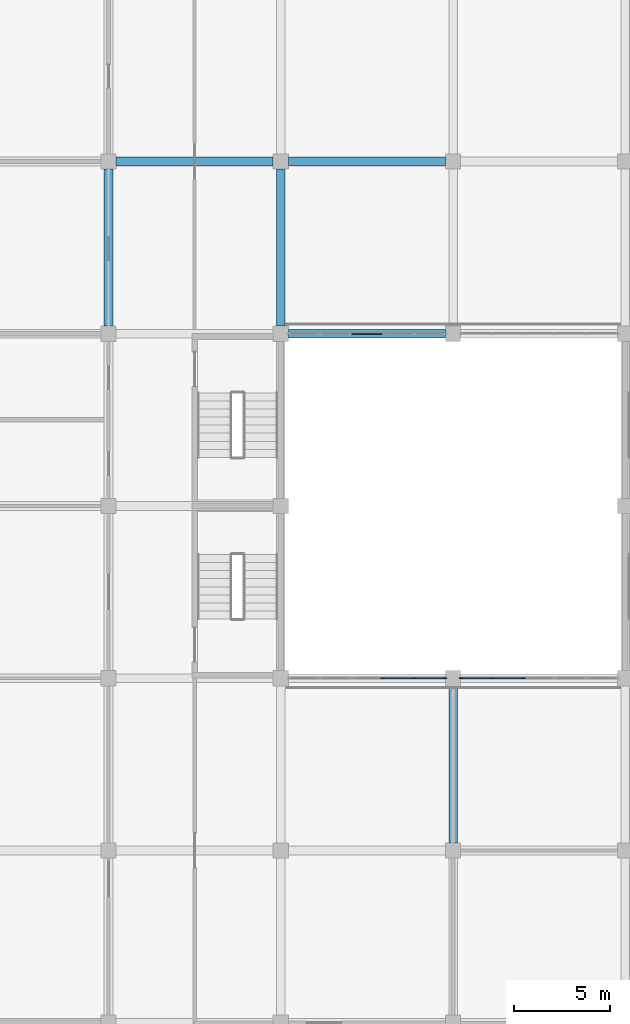
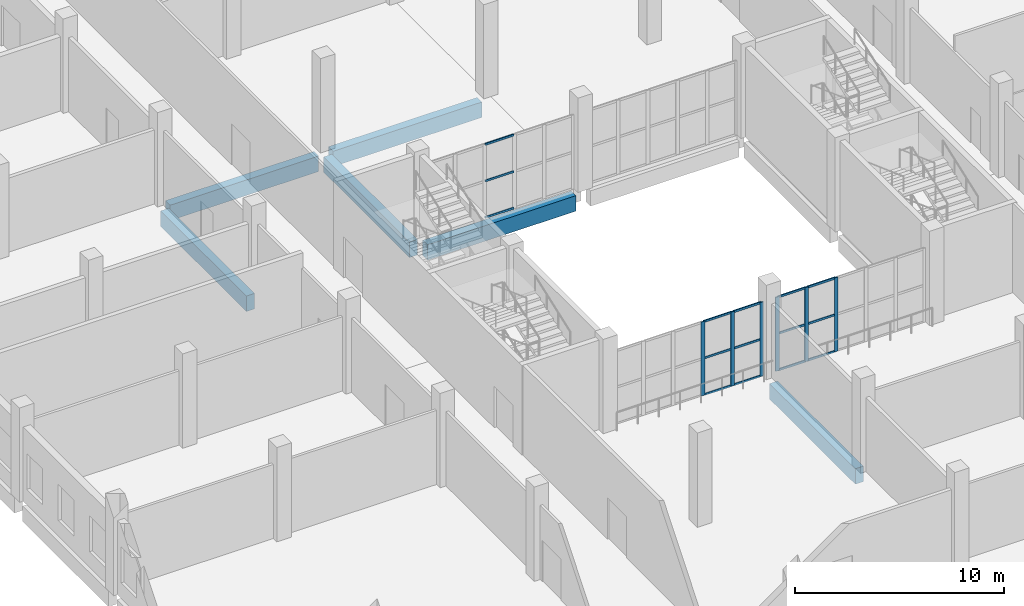
# One storey, part 22 of 185: 21 members, 6 beams, 3 elements without a shape of their own.
"""IFC4 building model written with IfcOpenShell, lengths in metres."""

import ifcopenshell
import ifcopenshell.guid

model = None  # the IFC model being written
_history = None  # IfcOwnerHistory: only IFC2X3 demands one
_inside = {}  # id of a spatial element -> (the spatial element, [elements in it])
_under = {}  # id of a project, library or spatial element -> (it, [spatial elements below it])
_declared = {}  # id of a project -> (the project, [libraries it declares])
_typed = {}  # id of a type object -> (the type object, [elements of that type])
_made_of = {}  # id of a material, layer set ... -> (it, [elements and type objects made of it])


def new_model(schema):
    """Start an empty IFC model of exactly this schema.

    Asked for "IFC4X3", IfcOpenShell would pick the latest addendum, in which some entities
    have other attributes; the version numbers below select the first issue.
    IFC2X3 requires an IfcOwnerHistory on every rooted entity: one is made here for all.
    """
    global model, _history
    if schema == "IFC4X3":
        model = ifcopenshell.file(schema_version=(4, 3, 0, 0))
    else:
        model = ifcopenshell.file(schema=schema)
    _inside.clear()
    _under.clear()
    _declared.clear()
    _typed.clear()
    _made_of.clear()
    _history = None
    if model.schema == "IFC2X3":
        org = make("IfcOrganization", Name="unknown")
        user = make(
            "IfcPersonAndOrganization",
            ThePerson=make("IfcPerson", FamilyName="unknown"),
            TheOrganization=org,
        )
        app = make(
            "IfcApplication",
            ApplicationDeveloper=org,
            Version="unknown",
            ApplicationFullName="unknown",
            ApplicationIdentifier="unknown",
        )
        _history = make(
            "IfcOwnerHistory",
            OwningUser=user,
            OwningApplication=app,
            ChangeAction="ADDED",
            CreationDate=0,
        )
    return model


def make(cls, **values):
    """One entity of the class cls with the attributes given. An attribute that is None is left unset."""
    return model.create_entity(
        cls, **{name: value for name, value in values.items() if value is not None}
    )


def rooted(cls, **values):
    """An entity with a GlobalId (a new one), such as an element, a storey or a relation."""
    return make(cls, GlobalId=ifcopenshell.guid.new(), OwnerHistory=_history, **values)


def si_unit(unit_type, name, prefix=None):
    """IfcSIUnit, for example si_unit("LENGTHUNIT", "METRE", prefix="MILLI")."""
    return make("IfcSIUnit", UnitType=unit_type, Prefix=prefix, Name=name)


def assignment(units):
    """IfcUnitAssignment: the units of a project."""
    return None if units is None else make("IfcUnitAssignment", Units=units)


def point(xyz):
    """IfcCartesianPoint."""
    return None if xyz is None else make("IfcCartesianPoint", Coordinates=xyz)


def direction(xyz):
    """IfcDirection."""
    return None if xyz is None else make("IfcDirection", DirectionRatios=xyz)


def frame(location, z_axis=None, x_axis=None):
    """IfcAxis2Placement3D, a coordinate frame: its origin and axes. An axis left out is left unset."""
    return make(
        "IfcAxis2Placement3D",
        Location=point(location),
        Axis=direction(z_axis),
        RefDirection=direction(x_axis),
    )


def frame_2d(location, x_axis=None):
    """IfcAxis2Placement2D, a coordinate frame in the plane: its origin and x axis."""
    return make(
        "IfcAxis2Placement2D", Location=point(location), RefDirection=direction(x_axis)
    )


def origin():
    """The frame at (0, 0, 0) with its axes left unset."""
    return frame((0.0, 0.0, 0.0))


def origin_2d():
    """The frame at (0, 0) in the plane with its x axis left unset."""
    return frame_2d((0.0, 0.0))


def place(relative_to, where):
    """IfcLocalPlacement: puts the frame where relative to a parent placement (None: the world)."""
    return make(
        "IfcLocalPlacement", PlacementRelTo=relative_to, RelativePlacement=where
    )


def context(
    kind, dimensions, precision=None, world=None, true_north=None, identifier=None
):
    """IfcGeometricRepresentationContext, for example the 3D "Model" context."""
    return make(
        "IfcGeometricRepresentationContext",
        ContextIdentifier=identifier,
        ContextType=kind,
        CoordinateSpaceDimension=dimensions,
        Precision=precision,
        WorldCoordinateSystem=world,
        TrueNorth=true_north,
    )


def subcontext(parent, identifier, kind, view, scale=None):
    """IfcGeometricRepresentationSubContext, for example "Body" below "Model"."""
    return make(
        "IfcGeometricRepresentationSubContext",
        ContextIdentifier=identifier,
        ContextType=kind,
        ParentContext=parent,
        TargetScale=scale,
        TargetView=view,
    )


def project(units=None, contexts=None):
    """IfcProject with its units and contexts."""
    return rooted(
        "IfcProject",
        Name="project",
        RepresentationContexts=contexts,
        UnitsInContext=assignment(units),
    )


def spatial(cls, under=None, at=None, **own):
    """A site, building, storey or space (cls), placed at a placement, below another one or the project."""
    s = rooted(cls, ObjectPlacement=at, **own)
    if under is not None:
        _under.setdefault(under.id(), (under, []))[1].append(s)
    return s


def profile(cls, at=None, kind="AREA", **sizes):
    """A parametric profile (cls). Its sizes go by their IFC names, for example OverallWidth=200.0."""
    return make(cls, ProfileType=kind, Position=at, **sizes)


def rectangle(**sizes):
    """IfcRectangleProfileDef."""
    return profile("IfcRectangleProfileDef", **sizes)


def extrude(swept, where, along, depth):
    """IfcExtrudedAreaSolid: the profile swept, set in the frame where, extruded along a direction by depth."""
    return make(
        "IfcExtrudedAreaSolid",
        SweptArea=swept,
        Position=where,
        ExtrudedDirection=direction(along),
        Depth=depth,
    )


def shape(context_of_items, identifier, shape_type, items):
    """IfcShapeRepresentation: the items that make up one representation, for example the "Body"."""
    return make(
        "IfcShapeRepresentation",
        ContextOfItems=context_of_items,
        RepresentationIdentifier=identifier,
        RepresentationType=shape_type,
        Items=items,
    )


def material(Name=None, Category=None):
    """IfcMaterial."""
    return make("IfcMaterial", Name=Name, Category=Category)


def layer(
    of_material, thickness, ventilated=None, Name=None, Category=None, Priority=None
):
    """IfcMaterialLayer: one layer of a wall or slab, of a material (None: an air gap)."""
    return make(
        "IfcMaterialLayer",
        Material=of_material,
        LayerThickness=thickness,
        IsVentilated=ventilated,
        Name=Name,
        Category=Category,
        Priority=Priority,
    )


def layer_set(layers, Name=None):
    """IfcMaterialLayerSet."""
    return make("IfcMaterialLayerSet", MaterialLayers=layers, LayerSetName=Name)


def material_profile(
    of_material, cross_section, Name=None, Category=None, Priority=None
):
    """IfcMaterialProfile: a cross section and its material."""
    return make(
        "IfcMaterialProfile",
        Name=Name,
        Material=of_material,
        Profile=cross_section,
        Priority=Priority,
        Category=Category,
    )


def profile_set(profiles, Name=None, composite=None):
    """IfcMaterialProfileSet."""
    return make(
        "IfcMaterialProfileSet",
        Name=Name,
        MaterialProfiles=profiles,
        CompositeProfile=composite,
    )


def made_of(thing, what):
    """Note that an element or type object is made of a material, layer set ...; save() writes the relation."""
    if what is not None:
        _made_of.setdefault(what.id(), (what, []))[1].append(thing)
    return thing


def type_object(cls, material=None, **own):
    """A type object (cls), such as IfcWallType, which elements share."""
    return made_of(rooted(cls, **own), material)


def element(
    cls,
    number,
    at=None,
    inside=None,
    cuts=None,
    type_object=None,
    material=None,
    context=None,
    identifier="Body",
    shape_type=None,
    held_by="IfcProductDefinitionShape",
    body=None,
    shapes=None,
    **own,
):
    """One element of the class cls, such as IfcWall. Its Tag is "e" and its number.

    at: its placement. inside: the storey or other place that contains it. cuts: it is an
    opening in that element (IfcRelVoidsElement). A single representation is given by context,
    identifier, shape_type and body (its items); several are given by shapes. held_by: the class
    of the entity that holds the representations. save() writes the other relations.
    """
    e = rooted(cls, Tag="e%d" % number, ObjectPlacement=at, **own)
    if body is not None:
        shapes = [shape(context, identifier, shape_type, body)]
    if shapes is not None:
        e.Representation = make(held_by, Representations=shapes)
    if inside is not None:
        _inside.setdefault(inside.id(), (inside, []))[1].append(e)
    if cuts is not None:
        rooted(
            "IfcRelVoidsElement", RelatingBuildingElement=cuts, RelatedOpeningElement=e
        )
    if type_object is not None:
        _typed.setdefault(type_object.id(), (type_object, []))[1].append(e)
    return made_of(e, material)


def aggregate(whole, parts):
    """IfcRelAggregates: a whole, such as a stair, and the parts it consists of."""
    return rooted("IfcRelAggregates", RelatingObject=whole, RelatedObjects=parts)


def save(model, path):
    """Write the relations noted so far, then the file.

    IfcRelAggregates (storeys below a building ...), IfcRelContainedInSpatialStructure (elements
    in a storey), IfcRelDefinesByType, IfcRelAssociatesMaterial and IfcRelDeclares: one each for
    every whole, place, type object, material and project.
    """
    for whole, parts in _under.values():
        aggregate(whole, parts)
    for where, things in _inside.values():
        rooted(
            "IfcRelContainedInSpatialStructure",
            RelatedElements=things,
            RelatingStructure=where,
        )
    for kind, things in _typed.values():
        rooted("IfcRelDefinesByType", RelatedObjects=things, RelatingType=kind)
    for what, things in _made_of.values():
        rooted("IfcRelAssociatesMaterial", RelatedObjects=things, RelatingMaterial=what)
    for by, libraries in _declared.values():
        rooted("IfcRelDeclares", RelatingContext=by, RelatedDefinitions=libraries)
    model.write(path)


model = new_model("IFC4")

# Units and contexts
model_context = context("Model", 3, precision=1e-05, world=origin(), true_north=direction((0.0, 1.0)))
body_context = subcontext(model_context, "Body", "Model", "MODEL_VIEW")
ifc_project = project(units=[si_unit("LENGTHUNIT", "METRE"), si_unit("AREAUNIT", "SQUARE_METRE"), si_unit("VOLUMEUNIT", "CUBIC_METRE"), si_unit("PLANEANGLEUNIT", "RADIAN"), si_unit("MASSUNIT", "GRAM", prefix="KILO")], contexts=[model_context])

# Site, building, storey
site_placement = place(None, origin())
site = spatial("IfcSite", under=ifc_project, at=site_placement, CompositionType="ELEMENT")
building_placement = place(site_placement, origin())
building = spatial("IfcBuilding", under=site, at=building_placement, Name="Opaline Strait Convention Centre", CompositionType="ELEMENT")
storey_placement = place(building_placement, frame((0.0, 0.0, 6.0)))
storey = spatial("IfcBuildingStorey", under=building, at=storey_placement, Name="L01", CompositionType="ELEMENT", Elevation=6.0)

# Curtain wall, members
ifc_material_1 = material(Name="Aluminium framed double glazing", Category="aluminium")
ifc_layer = layer(ifc_material_1, 0.199951171875)
ifc_layer_set = layer_set([ifc_layer], Name="Aluminium framed double glazing")
curtain_wall_type = type_object("IfcCurtainWallType", Name="Curtain wall 1500 module", PredefinedType="NOTDEFINED", material=ifc_layer_set)
curtain_wall_1_placement = place(storey_placement, origin())
curtain_wall_1 = element("IfcCurtainWall", 1, at=curtain_wall_1_placement, inside=storey, type_object=curtain_wall_type, Name="L01 court glazing Sc 1", PredefinedType="NOTDEFINED")
ifc_material_2 = material(Name="Aluminium alloy 6063", Category="aluminium")
ifc_material_profile_1 = material_profile(ifc_material_2, rectangle(XDim=0.06005859375, YDim=0.199951171875, at=origin_2d()), Name="Curtain wall mullion 60x200")
ifc_profile_set_1 = profile_set([ifc_material_profile_1], Name="Aluminium alloy 6063")
member_type_1 = type_object("IfcMemberType", Name="Curtain wall mullion 60x200", PredefinedType="MULLION", material=ifc_profile_set_1)
member_1_placement = place(storey_placement, frame((41.320068359375, 45.0, 0.0), z_axis=(0.0, 0.0, 1.0), x_axis=(0.0, 1.0, 0.0)))
member_1 = element("IfcMember", 2, at=member_1_placement, type_object=member_type_1, Name="RCW1 mullion 4", PredefinedType="MULLION", context=body_context, shape_type="SweptSolid", body=[
    extrude(rectangle(XDim=0.06005859375, YDim=0.199951171875, at=origin_2d()), origin(), (0.0, 0.0, 1.0), 4.320068359375),
])
member_2_placement = place(storey_placement, frame((42.9599609375, 45.0, 0.0), z_axis=(0.0, 0.0, 1.0), x_axis=(0.0, 1.0, 0.0)))
member_2 = element("IfcMember", 3, at=member_2_placement, type_object=member_type_1, Name="RCW1 mullion 5", PredefinedType="MULLION", context=body_context, shape_type="SweptSolid", body=[
    extrude(rectangle(XDim=0.06005859375, YDim=0.199951171875, at=origin_2d()), origin(), (0.0, 0.0, 1.0), 4.320068359375),
])
member_3_placement = place(storey_placement, frame((44.570068359375, 45.0, 0.0), z_axis=(0.0, 0.0, 1.0), x_axis=(0.0, 1.0, 0.0)))
member_3 = element("IfcMember", 4, at=member_3_placement, type_object=member_type_1, Name="RCW1 mullion 6", PredefinedType="MULLION", context=body_context, shape_type="SweptSolid", body=[
    extrude(rectangle(XDim=0.06005859375, YDim=0.199951171875, at=origin_2d()), origin(), (0.0, 0.0, 1.0), 4.320068359375),
])

curtain_wall_2_placement = place(storey_placement, origin())
curtain_wall_2 = element("IfcCurtainWall", 5, at=curtain_wall_2_placement, inside=storey, type_object=curtain_wall_type, Name="L01 court glazing Sc 2", PredefinedType="NOTDEFINED")
member_4_placement = place(storey_placement, frame((45.429931640625, 45.0, 0.0), z_axis=(0.0, 0.0, 1.0), x_axis=(0.0, 1.0, 0.0)))
member_4 = element("IfcMember", 6, at=member_4_placement, type_object=member_type_1, Name="RCW1 mullion 1", PredefinedType="MULLION", context=body_context, shape_type="SweptSolid", body=[
    extrude(rectangle(XDim=0.06005859375, YDim=0.199951171875, at=origin_2d()), origin(), (0.0, 0.0, 1.0), 4.320068359375),
])
member_5_placement = place(storey_placement, frame((47.0400390625, 45.0, 0.0), z_axis=(0.0, 0.0, 1.0), x_axis=(0.0, 1.0, 0.0)))
member_5 = element("IfcMember", 7, at=member_5_placement, type_object=member_type_1, Name="RCW1 mullion 2", PredefinedType="MULLION", context=body_context, shape_type="SweptSolid", body=[
    extrude(rectangle(XDim=0.06005859375, YDim=0.199951171875, at=origin_2d()), origin(), (0.0, 0.0, 1.0), 4.320068359375),
])
member_6_placement = place(storey_placement, frame((48.679931640625, 45.0, 0.0), z_axis=(0.0, 0.0, 1.0), x_axis=(0.0, 1.0, 0.0)))
member_6 = element("IfcMember", 8, at=member_6_placement, type_object=member_type_1, Name="RCW1 mullion 3", PredefinedType="MULLION", context=body_context, shape_type="SweptSolid", body=[
    extrude(rectangle(XDim=0.06005859375, YDim=0.199951171875, at=origin_2d()), origin(), (0.0, 0.0, 1.0), 4.320068359375),
])

# Member
ifc_material_profile_2 = material_profile(ifc_material_2, rectangle(XDim=0.06005859375, YDim=0.1201171875, at=origin_2d()), Name="Curtain wall transom 60x120")
ifc_profile_set_2 = profile_set([ifc_material_profile_2], Name="Aluminium alloy 6063")
member_type_2 = type_object("IfcMemberType", Name="Curtain wall transom 60x120", PredefinedType="USERDEFINED", material=ifc_profile_set_2)
member_7_placement = place(storey_placement, frame((41.35009765625, 45.0, 0.030029296875), z_axis=(1.0, 0.0, 0.0), x_axis=(0.0, 1.0, 0.0)))
member_7 = element("IfcMember", 9, at=member_7_placement, type_object=member_type_2, Name="RCW1 transom 4.1", ObjectType="TRANSOM", PredefinedType="USERDEFINED", context=body_context, shape_type="SweptSolid", body=[
    extrude(rectangle(XDim=0.06005859375, YDim=0.1201171875, at=origin_2d()), origin(), (0.0, 0.0, 1.0), 1.580078125),
])

member_8_placement = place(storey_placement, frame((41.35009765625, 45.0, 2.159912109375), z_axis=(1.0, 0.0, 0.0), x_axis=(0.0, 1.0, 0.0)))
member_8 = element("IfcMember", 10, at=member_8_placement, type_object=member_type_2, Name="RCW1 transom 4.2", ObjectType="TRANSOM", PredefinedType="USERDEFINED", context=body_context, shape_type="SweptSolid", body=[
    extrude(rectangle(XDim=0.06005859375, YDim=0.1201171875, at=origin_2d()), origin(), (0.0, 0.0, 1.0), 1.580078125),
])

member_9_placement = place(storey_placement, frame((41.35009765625, 45.0, 4.2900390625), z_axis=(1.0, 0.0, 0.0), x_axis=(0.0, 1.0, 0.0)))
member_9 = element("IfcMember", 11, at=member_9_placement, type_object=member_type_2, Name="RCW1 transom 4.3", ObjectType="TRANSOM", PredefinedType="USERDEFINED", context=body_context, shape_type="SweptSolid", body=[
    extrude(rectangle(XDim=0.06005859375, YDim=0.1201171875, at=origin_2d()), origin(), (0.0, 0.0, 1.0), 1.580078125),
])

member_10_placement = place(storey_placement, frame((42.989990234375, 45.0, 0.030029296875), z_axis=(1.0, 0.0, 0.0), x_axis=(0.0, 1.0, 0.0)))
member_10 = element("IfcMember", 12, at=member_10_placement, type_object=member_type_2, Name="RCW1 transom 5.1", ObjectType="TRANSOM", PredefinedType="USERDEFINED", context=body_context, shape_type="SweptSolid", body=[
    extrude(rectangle(XDim=0.06005859375, YDim=0.1201171875, at=origin_2d()), origin(), (0.0, 0.0, 1.0), 1.550048828125),
])

member_11_placement = place(storey_placement, frame((42.989990234375, 45.0, 2.159912109375), z_axis=(1.0, 0.0, 0.0), x_axis=(0.0, 1.0, 0.0)))
member_11 = element("IfcMember", 13, at=member_11_placement, type_object=member_type_2, Name="RCW1 transom 5.2", ObjectType="TRANSOM", PredefinedType="USERDEFINED", context=body_context, shape_type="SweptSolid", body=[
    extrude(rectangle(XDim=0.06005859375, YDim=0.1201171875, at=origin_2d()), origin(), (0.0, 0.0, 1.0), 1.550048828125),
])

member_12_placement = place(storey_placement, frame((42.989990234375, 45.0, 4.2900390625), z_axis=(1.0, 0.0, 0.0), x_axis=(0.0, 1.0, 0.0)))
member_12 = element("IfcMember", 14, at=member_12_placement, type_object=member_type_2, Name="RCW1 transom 5.3", ObjectType="TRANSOM", PredefinedType="USERDEFINED", context=body_context, shape_type="SweptSolid", body=[
    extrude(rectangle(XDim=0.06005859375, YDim=0.1201171875, at=origin_2d()), origin(), (0.0, 0.0, 1.0), 1.550048828125),
])

aggregate(curtain_wall_1, [member_1, member_2, member_3, member_7, member_8, member_9, member_10, member_11, member_12])

member_13_placement = place(storey_placement, frame((45.4599609375, 45.0, 0.030029296875), z_axis=(1.0, 0.0, 0.0), x_axis=(0.0, 1.0, 0.0)))
member_13 = element("IfcMember", 15, at=member_13_placement, type_object=member_type_2, Name="RCW1 transom 1.1", ObjectType="TRANSOM", PredefinedType="USERDEFINED", context=body_context, shape_type="SweptSolid", body=[
    extrude(rectangle(XDim=0.06005859375, YDim=0.1201171875, at=origin_2d()), origin(), (0.0, 0.0, 1.0), 1.550048828125),
])

member_14_placement = place(storey_placement, frame((45.4599609375, 45.0, 2.159912109375), z_axis=(1.0, 0.0, 0.0), x_axis=(0.0, 1.0, 0.0)))
member_14 = element("IfcMember", 16, at=member_14_placement, type_object=member_type_2, Name="RCW1 transom 1.2", ObjectType="TRANSOM", PredefinedType="USERDEFINED", context=body_context, shape_type="SweptSolid", body=[
    extrude(rectangle(XDim=0.06005859375, YDim=0.1201171875, at=origin_2d()), origin(), (0.0, 0.0, 1.0), 1.550048828125),
])

member_15_placement = place(storey_placement, frame((45.4599609375, 45.0, 4.2900390625), z_axis=(1.0, 0.0, 0.0), x_axis=(0.0, 1.0, 0.0)))
member_15 = element("IfcMember", 17, at=member_15_placement, type_object=member_type_2, Name="RCW1 transom 1.3", ObjectType="TRANSOM", PredefinedType="USERDEFINED", context=body_context, shape_type="SweptSolid", body=[
    extrude(rectangle(XDim=0.06005859375, YDim=0.1201171875, at=origin_2d()), origin(), (0.0, 0.0, 1.0), 1.550048828125),
])

member_16_placement = place(storey_placement, frame((47.06982421875, 45.0, 0.030029296875), z_axis=(1.0, 0.0, 0.0), x_axis=(0.0, 1.0, 0.0)))
member_16 = element("IfcMember", 18, at=member_16_placement, type_object=member_type_2, Name="RCW1 transom 2.1", ObjectType="TRANSOM", PredefinedType="USERDEFINED", context=body_context, shape_type="SweptSolid", body=[
    extrude(rectangle(XDim=0.06005859375, YDim=0.1201171875, at=origin_2d()), origin(), (0.0, 0.0, 1.0), 1.580078125),
])

member_17_placement = place(storey_placement, frame((47.06982421875, 45.0, 2.159912109375), z_axis=(1.0, 0.0, 0.0), x_axis=(0.0, 1.0, 0.0)))
member_17 = element("IfcMember", 19, at=member_17_placement, type_object=member_type_2, Name="RCW1 transom 2.2", ObjectType="TRANSOM", PredefinedType="USERDEFINED", context=body_context, shape_type="SweptSolid", body=[
    extrude(rectangle(XDim=0.06005859375, YDim=0.1201171875, at=origin_2d()), origin(), (0.0, 0.0, 1.0), 1.580078125),
])

member_18_placement = place(storey_placement, frame((47.06982421875, 45.0, 4.2900390625), z_axis=(1.0, 0.0, 0.0), x_axis=(0.0, 1.0, 0.0)))
member_18 = element("IfcMember", 20, at=member_18_placement, type_object=member_type_2, Name="RCW1 transom 2.3", ObjectType="TRANSOM", PredefinedType="USERDEFINED", context=body_context, shape_type="SweptSolid", body=[
    extrude(rectangle(XDim=0.06005859375, YDim=0.1201171875, at=origin_2d()), origin(), (0.0, 0.0, 1.0), 1.580078125),
])

aggregate(curtain_wall_2, [member_4, member_5, member_6, member_13, member_14, member_15, member_16, member_17, member_18])

# Curtain wall, members
curtain_wall_3_placement = place(storey_placement, origin())
curtain_wall_3 = element("IfcCurtainWall", 21, at=curtain_wall_3_placement, inside=storey, type_object=curtain_wall_type, Name="L01 court glazing Nc 1", PredefinedType="NOTDEFINED")
member_19_placement = place(storey_placement, frame((39.7099609375, 63.0, 0.030029296875), z_axis=(1.0, 0.0, 0.0), x_axis=(0.0, 1.0, 0.0)))
member_19 = element("IfcMember", 22, at=member_19_placement, type_object=member_type_2, Name="RCW1 transom 3.1", ObjectType="TRANSOM", PredefinedType="USERDEFINED", context=body_context, shape_type="SweptSolid", body=[
    extrude(rectangle(XDim=0.06005859375, YDim=0.1201171875, at=origin_2d()), origin(), (0.0, 0.0, 1.0), 1.580078125),
])
member_20_placement = place(storey_placement, frame((39.7099609375, 63.0, 2.159912109375), z_axis=(1.0, 0.0, 0.0), x_axis=(0.0, 1.0, 0.0)))
member_20 = element("IfcMember", 23, at=member_20_placement, type_object=member_type_2, Name="RCW1 transom 3.2", ObjectType="TRANSOM", PredefinedType="USERDEFINED", context=body_context, shape_type="SweptSolid", body=[
    extrude(rectangle(XDim=0.06005859375, YDim=0.1201171875, at=origin_2d()), origin(), (0.0, 0.0, 1.0), 1.580078125),
])
member_21_placement = place(storey_placement, frame((39.7099609375, 63.0, 4.2900390625), z_axis=(1.0, 0.0, 0.0), x_axis=(0.0, 1.0, 0.0)))
member_21 = element("IfcMember", 24, at=member_21_placement, type_object=member_type_2, Name="RCW1 transom 3.3", ObjectType="TRANSOM", PredefinedType="USERDEFINED", context=body_context, shape_type="SweptSolid", body=[
    extrude(rectangle(XDim=0.06005859375, YDim=0.1201171875, at=origin_2d()), origin(), (0.0, 0.0, 1.0), 1.580078125),
])
aggregate(curtain_wall_3, [member_19, member_20, member_21])

# Beams
ifc_material_3 = material(Name="Concrete C35", Category="concrete")
ifc_material_profile_3 = material_profile(ifc_material_3, rectangle(XDim=0.449951171875, YDim=0.89990234375, at=origin_2d()), Name="RC 450x900")
ifc_profile_set_3 = profile_set([ifc_material_profile_3], Name="Concrete C35")
beam_type = type_object("IfcBeamType", Name="RC beam 450x900 C35", PredefinedType="BEAM", material=ifc_profile_set_3)
for number, where, z_axis, x_axis, name in (
    (25, (36.39990234375, 63.0, -0.72998046875), (1.0, 0.0, 0.0), (0.0, 1.0, 0.0), "XB1 L01 36/63-45/63"),
    (26, (27.39990234375, 72.0, -0.72998046875), (1.0, 0.0, 0.0), (0.0, 1.0, 0.0), "XB1 L01 27/72-36/72"),
    (27, (36.39990234375, 72.0, -0.72998046875), (1.0, 0.0, 0.0), (0.0, 1.0, 0.0), "XB1 L01 36/72-45/72"),
    (28, (27.0, 63.39990234375, -0.72998046875), (0.0, 1.0, 0.0), (-1.0, 0.0, 0.0), "XB1 L01 27/63-27/72"),
    (29, (36.0, 63.39990234375, -0.72998046875), (0.0, 1.0, 0.0), (-1.0, 0.0, 0.0), "XB1 L01 36/63-36/72"),
    (30, (45.0, 36.39990234375, -0.72998046875), (0.0, 1.0, 0.0), (-1.0, 0.0, 0.0), "XB1 L01 45/36-45/45"),
):
    element("IfcBeam", number, at=place(storey_placement, frame(where, z_axis=z_axis, x_axis=x_axis)), inside=storey, type_object=beam_type, Name=name, PredefinedType="BEAM", context=body_context, shape_type="SweptSolid", body=[
        extrude(rectangle(XDim=0.449951171875, YDim=0.89990234375, at=origin_2d()), origin(), (0.0, 0.0, 1.0), 8.2001953125),
    ])

save(model, "model.ifc")
